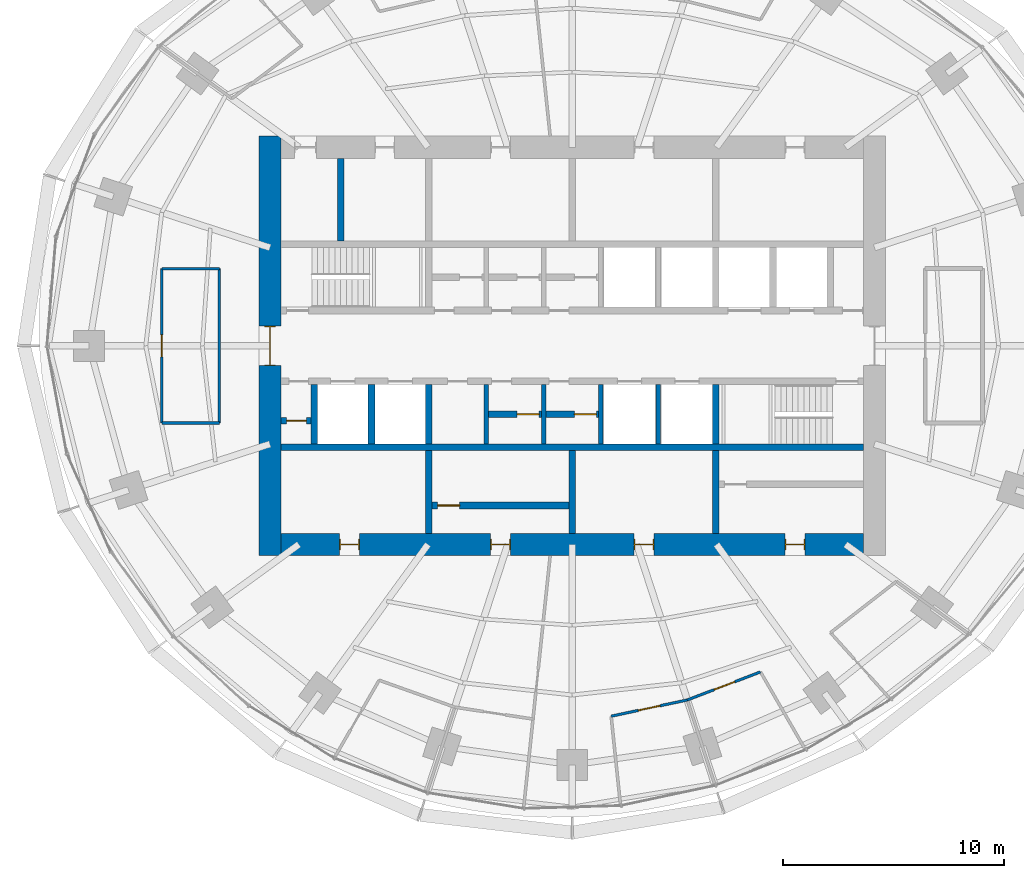
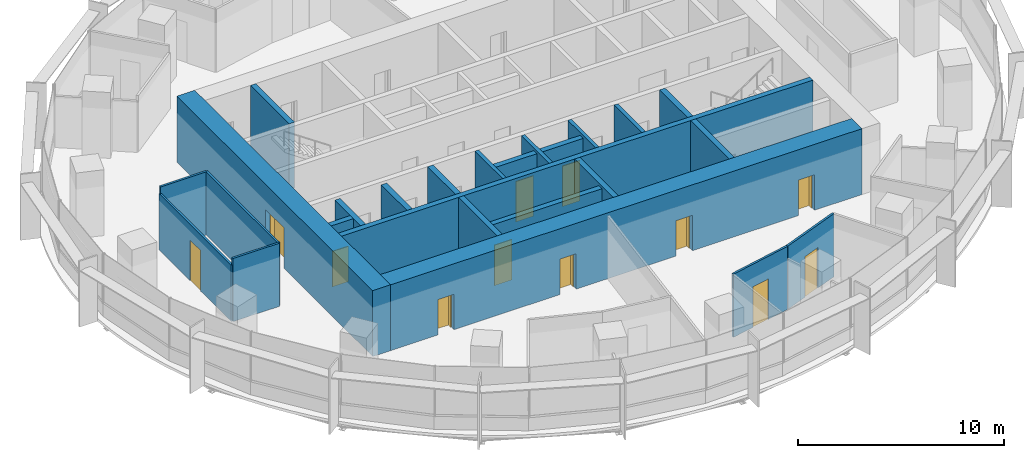
# One storey, part 10 of 15: 25 walls, 12 doors, 12 openings.
"""IFC4 building model written with IfcOpenShell, lengths in metres."""

from ifc_helpers import new_model, si_unit, direction, frame, frame_2d, origin, place, context, subcontext, project, spatial, rectangle, extrude, material, layer, layer_set, type_object, element, fill, save


model = new_model("IFC4")

# Units and contexts
model_context = context("Model", 3, precision=1e-05, world=origin(), true_north=direction((0.0, 1.0)))
body_context = subcontext(model_context, "Body", "Model", "MODEL_VIEW")
ifc_project = project(units=[si_unit("LENGTHUNIT", "METRE"), si_unit("AREAUNIT", "SQUARE_METRE"), si_unit("VOLUMEUNIT", "CUBIC_METRE"), si_unit("PLANEANGLEUNIT", "RADIAN"), si_unit("MASSUNIT", "GRAM", prefix="KILO")], contexts=[model_context])

# Site, building, storey
site_placement = place(None, origin())
site = spatial("IfcSite", under=ifc_project, at=site_placement, CompositionType="ELEMENT")
building_placement = place(site_placement, origin())
building = spatial("IfcBuilding", under=site, at=building_placement, Name="Marramba Exchange Tower", CompositionType="ELEMENT")
storey_placement = place(building_placement, frame((0.0, 0.0, 187.699951171875)))
storey = spatial("IfcBuildingStorey", under=building, at=storey_placement, Name="L45", CompositionType="ELEMENT", Elevation=187.699951171875)

# Walls
ifc_material_1 = material(Name="Concrete N50", Category="concrete")
ifc_layer_1 = layer(ifc_material_1, 0.199951171875)
ifc_layer_set_1 = layer_set([ifc_layer_1], Name="Core shaft wall 200")
wall_type_1 = type_object("IfcWallType", Name="Core shaft wall 200", PredefinedType="SHEAR", material=ifc_layer_set_1)
for number, where, z_axis, x_axis, name in (
    (1, (-3.89990234375, -1.75, 0.0), (0.0, 0.0, 1.0), (0.0, -1.0, 0.0), "Core wall SHS1 L45"),
    (2, (-1.300048828125, -1.75, 0.0), (0.0, 0.0, 1.0), (0.0, -1.0, 0.0), "Core wall SHS2 L45"),
    (3, (1.300048828125, -1.75, 0.0), (0.0, 0.0, 1.0), (0.0, -1.0, 0.0), "Core wall SHS3 L45"),
    (4, (3.89990234375, -1.75, 0.0), (0.0, 0.0, 1.0), (0.0, -1.0, 0.0), "Core wall SHS4 L45"),
):
    element("IfcWall", number, at=place(storey_placement, frame(where, z_axis=z_axis, x_axis=x_axis)), inside=storey, type_object=wall_type_1, Name=name, PredefinedType="SHEAR", context=body_context, shape_type="SweptSolid", body=[
        extrude(rectangle(XDim=2.699951171875, YDim=0.199951171875, at=frame_2d((1.35009765625, 0.0))), origin(), (0.0, 0.0, 1.0), 3.900146484375),
    ])

# Wall, openings, doors
ifc_layer_2 = layer(ifc_material_1, 1.0)
ifc_layer_set_2 = layer_set([ifc_layer_2], Name="Core wall 1000")
wall_type_2 = type_object("IfcWallType", Name="Core wall 1000", PredefinedType="SHEAR", material=ifc_layer_set_2)
wall_1_placement = place(storey_placement, frame((-13.199951171875, -9.0, 0.0), z_axis=(0.0, 0.0, 1.0), x_axis=(1.0, 0.0, 0.0)))
wall_1 = element("IfcWall", 5, at=wall_1_placement, inside=storey, type_object=wall_type_2, Name="Core wall S L45", PredefinedType="SHEAR", context=body_context, shape_type="SweptSolid", body=[
    extrude(rectangle(XDim=26.39990234375, YDim=1.0, at=frame_2d((13.199951171875, 0.0))), origin(), (0.0, 0.0, 1.0), 3.900146484375),
])
opening_1_placement = place(wall_1_placement, frame((2.64990234375, 0.0, 0.0)))
opening_1 = element("IfcOpeningElement", 6, at=opening_1_placement, cuts=wall_1, Name="Opening D5", PredefinedType="OPENING", context=body_context, shape_type="SweptSolid", body=[
    extrude(rectangle(XDim=0.89990234375, YDim=2.10009765625, at=frame_2d((0.449951171875, 1.050048828125))), frame((0.0, 0.510009765625, 0.0), z_axis=(0.0, -1.0, 0.0), x_axis=(1.0, 0.0, 0.0)), (0.0, 0.0, 1.0), 1.02001953125),
])
opening_2_placement = place(wall_1_placement, frame((9.5, 0.0, 0.0)))
opening_2 = element("IfcOpeningElement", 7, at=opening_2_placement, cuts=wall_1, Name="Opening D5", PredefinedType="OPENING", context=body_context, shape_type="SweptSolid", body=[
    extrude(rectangle(XDim=0.89990234375, YDim=2.10009765625, at=frame_2d((0.449951171875, 1.050048828125))), frame((0.0, 0.510009765625, 0.0), z_axis=(0.0, -1.0, 0.0), x_axis=(1.0, 0.0, 0.0)), (0.0, 0.0, 1.0), 1.02001953125),
])
opening_3_placement = place(wall_1_placement, frame((16.0, 0.0, 0.0)))
opening_3 = element("IfcOpeningElement", 8, at=opening_3_placement, cuts=wall_1, Name="Opening D5", PredefinedType="OPENING", context=body_context, shape_type="SweptSolid", body=[
    extrude(rectangle(XDim=0.89990234375, YDim=2.10009765625, at=frame_2d((0.449951171875, 1.050048828125))), frame((0.0, 0.510009765625, 0.0), z_axis=(0.0, -1.0, 0.0), x_axis=(1.0, 0.0, 0.0)), (0.0, 0.0, 1.0), 1.02001953125),
])
opening_4_placement = place(wall_1_placement, frame((22.85009765625, 0.0, 0.0)))
opening_4 = element("IfcOpeningElement", 9, at=opening_4_placement, cuts=wall_1, Name="Opening D5", PredefinedType="OPENING", context=body_context, shape_type="SweptSolid", body=[
    extrude(rectangle(XDim=0.89990234375, YDim=2.10009765625, at=frame_2d((0.449951171875, 1.050048828125))), frame((0.0, 0.510009765625, 0.0), z_axis=(0.0, -1.0, 0.0), x_axis=(1.0, 0.0, 0.0)), (0.0, 0.0, 1.0), 1.02001953125),
])
ifc_material_2 = material(Name="Steel-framed door", Category="steel")
door_type_1 = type_object("IfcDoorType", Name="Service door 900x2100", OperationType="SINGLE_SWING_LEFT", PredefinedType="DOOR", material=ifc_material_2)
door_1_placement = place(opening_1_placement, origin())
door_1 = element("IfcDoor", 10, at=door_1_placement, inside=storey, type_object=door_type_1, Name="D5 ahu L45", OperationType="SINGLE_SWING_LEFT", OverallHeight=2.10009765625, OverallWidth=0.89990234375, PredefinedType="DOOR", context=body_context, shape_type="SweptSolid", body=[
    extrude(rectangle(XDim=0.81982421875, YDim=2.06005859375, at=frame_2d((0.449951171875, 1.030029296875))), frame((0.0, 0.02490234375, 0.0), z_axis=(0.0, -1.0, 0.0), x_axis=(1.0, 0.0, 0.0)), (0.0, 0.0, 1.0), 0.050048828125),
    extrude(rectangle(XDim=0.04, YDim=2.10009765625, at=frame_2d((0.02001953125, 1.050048828125))), frame((0.0, 0.25, 0.0), z_axis=(0.0, -1.0, 0.0), x_axis=(1.0, 0.0, 0.0)), (0.0, 0.0, 1.0), 0.5),
    extrude(rectangle(XDim=0.04, YDim=2.10009765625, at=frame_2d((0.8798828125, 1.050048828125))), frame((0.0, 0.25, 0.0), z_axis=(0.0, -1.0, 0.0), x_axis=(1.0, 0.0, 0.0)), (0.0, 0.0, 1.0), 0.5),
    extrude(rectangle(XDim=0.81982421875, YDim=0.04, at=frame_2d((0.449951171875, 2.080078125))), frame((0.0, 0.25, 0.0), z_axis=(0.0, -1.0, 0.0), x_axis=(1.0, 0.0, 0.0)), (0.0, 0.0, 1.0), 0.5),
])
fill(opening_1, door_1)
door_2_placement = place(opening_2_placement, origin())
door_2 = element("IfcDoor", 11, at=door_2_placement, inside=storey, type_object=door_type_1, Name="D5 store L45", OperationType="SINGLE_SWING_RIGHT", OverallHeight=2.10009765625, OverallWidth=0.89990234375, PredefinedType="DOOR", context=body_context, shape_type="SweptSolid", body=[
    extrude(rectangle(XDim=0.81982421875, YDim=2.06005859375, at=frame_2d((0.449951171875, 1.030029296875))), frame((0.0, 0.02490234375, 0.0), z_axis=(0.0, -1.0, 0.0), x_axis=(1.0, 0.0, 0.0)), (0.0, 0.0, 1.0), 0.050048828125),
    extrude(rectangle(XDim=0.04, YDim=2.10009765625, at=frame_2d((0.02001953125, 1.050048828125))), frame((0.0, 0.25, 0.0), z_axis=(0.0, -1.0, 0.0), x_axis=(1.0, 0.0, 0.0)), (0.0, 0.0, 1.0), 0.5),
    extrude(rectangle(XDim=0.04, YDim=2.10009765625, at=frame_2d((0.8798828125, 1.050048828125))), frame((0.0, 0.25, 0.0), z_axis=(0.0, -1.0, 0.0), x_axis=(1.0, 0.0, 0.0)), (0.0, 0.0, 1.0), 0.5),
    extrude(rectangle(XDim=0.81982421875, YDim=0.04, at=frame_2d((0.449951171875, 2.080078125))), frame((0.0, 0.25, 0.0), z_axis=(0.0, -1.0, 0.0), x_axis=(1.0, 0.0, 0.0)), (0.0, 0.0, 1.0), 0.5),
])
fill(opening_2, door_2)
door_3_placement = place(opening_3_placement, origin())
door_3 = element("IfcDoor", 12, at=door_3_placement, inside=storey, type_object=door_type_1, Name="D5 switch L45", OperationType="SINGLE_SWING_RIGHT", OverallHeight=2.10009765625, OverallWidth=0.89990234375, PredefinedType="DOOR", context=body_context, shape_type="SweptSolid", body=[
    extrude(rectangle(XDim=0.81982421875, YDim=2.06005859375, at=frame_2d((0.449951171875, 1.030029296875))), frame((0.0, 0.02490234375, 0.0), z_axis=(0.0, -1.0, 0.0), x_axis=(1.0, 0.0, 0.0)), (0.0, 0.0, 1.0), 0.050048828125),
    extrude(rectangle(XDim=0.04, YDim=2.10009765625, at=frame_2d((0.02001953125, 1.050048828125))), frame((0.0, 0.25, 0.0), z_axis=(0.0, -1.0, 0.0), x_axis=(1.0, 0.0, 0.0)), (0.0, 0.0, 1.0), 0.5),
    extrude(rectangle(XDim=0.04, YDim=2.10009765625, at=frame_2d((0.8798828125, 1.050048828125))), frame((0.0, 0.25, 0.0), z_axis=(0.0, -1.0, 0.0), x_axis=(1.0, 0.0, 0.0)), (0.0, 0.0, 1.0), 0.5),
    extrude(rectangle(XDim=0.81982421875, YDim=0.04, at=frame_2d((0.449951171875, 2.080078125))), frame((0.0, 0.25, 0.0), z_axis=(0.0, -1.0, 0.0), x_axis=(1.0, 0.0, 0.0)), (0.0, 0.0, 1.0), 0.5),
])
fill(opening_3, door_3)
door_4_placement = place(opening_4_placement, origin())
door_4 = element("IfcDoor", 13, at=door_4_placement, inside=storey, type_object=door_type_1, Name="D5 cstore L45", OperationType="SINGLE_SWING_RIGHT", OverallHeight=2.10009765625, OverallWidth=0.89990234375, PredefinedType="DOOR", context=body_context, shape_type="SweptSolid", body=[
    extrude(rectangle(XDim=0.81982421875, YDim=2.06005859375, at=frame_2d((0.449951171875, 1.030029296875))), frame((0.0, 0.02490234375, 0.0), z_axis=(0.0, -1.0, 0.0), x_axis=(1.0, 0.0, 0.0)), (0.0, 0.0, 1.0), 0.050048828125),
    extrude(rectangle(XDim=0.04, YDim=2.10009765625, at=frame_2d((0.02001953125, 1.050048828125))), frame((0.0, 0.25, 0.0), z_axis=(0.0, -1.0, 0.0), x_axis=(1.0, 0.0, 0.0)), (0.0, 0.0, 1.0), 0.5),
    extrude(rectangle(XDim=0.04, YDim=2.10009765625, at=frame_2d((0.8798828125, 1.050048828125))), frame((0.0, 0.25, 0.0), z_axis=(0.0, -1.0, 0.0), x_axis=(1.0, 0.0, 0.0)), (0.0, 0.0, 1.0), 0.5),
    extrude(rectangle(XDim=0.81982421875, YDim=0.04, at=frame_2d((0.449951171875, 2.080078125))), frame((0.0, 0.25, 0.0), z_axis=(0.0, -1.0, 0.0), x_axis=(1.0, 0.0, 0.0)), (0.0, 0.0, 1.0), 0.5),
])
fill(opening_4, door_4)

# Wall, opening, door
wall_2_placement = place(storey_placement, frame((-13.699951171875, 9.5, 0.0), z_axis=(0.0, 0.0, 1.0), x_axis=(0.0, -1.0, 0.0)))
wall_2 = element("IfcWall", 14, at=wall_2_placement, inside=storey, type_object=wall_type_2, Name="Core wall W L45", PredefinedType="SHEAR", context=body_context, shape_type="SweptSolid", body=[
    extrude(rectangle(XDim=19.0, YDim=1.0, at=frame_2d((9.5, 0.0))), origin(), (0.0, 0.0, 1.0), 3.900146484375),
])
opening_5_placement = place(wall_2_placement, frame((8.60009765625, 0.0, 0.0)))
opening_5 = element("IfcOpeningElement", 15, at=opening_5_placement, cuts=wall_2, Name="Opening D1", PredefinedType="OPENING", context=body_context, shape_type="SweptSolid", body=[
    extrude(rectangle(XDim=1.800048828125, YDim=2.39990234375, at=frame_2d((0.89990234375, 1.199951171875))), frame((0.0, 0.510009765625, 0.0), z_axis=(0.0, -1.0, 0.0), x_axis=(1.0, 0.0, 0.0)), (0.0, 0.0, 1.0), 1.02001953125),
])
door_type_2 = type_object("IfcDoorType", Name="Lobby exit door 1800x2400", OperationType="DOUBLE_DOOR_SINGLE_SWING", PredefinedType="DOOR", material=ifc_material_2)
door_5_placement = place(opening_5_placement, origin())
door_5 = element("IfcDoor", 16, at=door_5_placement, inside=storey, type_object=door_type_2, Name="D1 lobby exit west L45", OperationType="DOUBLE_DOOR_SINGLE_SWING", OverallHeight=2.39990234375, OverallWidth=1.800048828125, PredefinedType="DOOR", context=body_context, shape_type="SweptSolid", body=[
    extrude(rectangle(XDim=1.719970703125, YDim=2.35986328125, at=frame_2d((0.89990234375, 1.179931640625))), frame((0.0, 0.02490234375, 0.0), z_axis=(0.0, -1.0, 0.0), x_axis=(1.0, 0.0, 0.0)), (0.0, 0.0, 1.0), 0.050048828125),
    extrude(rectangle(XDim=0.04, YDim=2.39990234375, at=frame_2d((0.02001953125, 1.199951171875))), frame((0.0, 0.25, 0.0), z_axis=(0.0, -1.0, 0.0), x_axis=(1.0, 0.0, 0.0)), (0.0, 0.0, 1.0), 0.5),
    extrude(rectangle(XDim=0.04, YDim=2.39990234375, at=frame_2d((1.780029296875, 1.199951171875))), frame((0.0, 0.25, 0.0), z_axis=(0.0, -1.0, 0.0), x_axis=(1.0, 0.0, 0.0)), (0.0, 0.0, 1.0), 0.5),
    extrude(rectangle(XDim=1.719970703125, YDim=0.04, at=frame_2d((0.89990234375, 2.3798828125))), frame((0.0, 0.25, 0.0), z_axis=(0.0, -1.0, 0.0), x_axis=(1.0, 0.0, 0.0)), (0.0, 0.0, 1.0), 0.5),
])
fill(opening_5, door_5)

# Walls
ifc_layer_3 = layer(ifc_material_1, 0.300048828125)
ifc_layer_set_3 = layer_set([ifc_layer_3], Name="Core wall 300")
wall_type_3 = type_object("IfcWallType", Name="Core wall 300", PredefinedType="SHEAR", material=ifc_layer_set_3)
wall_3_placement = place(storey_placement, frame((-13.199951171875, -4.60009765625, 0.0), z_axis=(0.0, 0.0, 1.0), x_axis=(1.0, 0.0, 0.0)))
element("IfcWall", 17, at=wall_3_placement, inside=storey, type_object=wall_type_3, Name="Core wall BS L45", PredefinedType="SHEAR", context=body_context, shape_type="SweptSolid", body=[
    extrude(rectangle(XDim=26.39990234375, YDim=0.300048828125, at=frame_2d((13.199951171875, 0.0))), origin(), (0.0, 0.0, 1.0), 3.900146484375),
])
wall_4_placement = place(storey_placement, frame((-6.5, -1.75, 0.0), z_axis=(0.0, 0.0, 1.0), x_axis=(0.0, -1.0, 0.0)))
element("IfcWall", 18, at=wall_4_placement, inside=storey, type_object=wall_type_3, Name="Core wall X0Sa L45", PredefinedType="SHEAR", context=body_context, shape_type="SweptSolid", body=[
    extrude(rectangle(XDim=2.699951171875, YDim=0.300048828125, at=frame_2d((1.35009765625, 0.0))), origin(), (0.0, 0.0, 1.0), 3.900146484375),
])
wall_5_placement = place(storey_placement, frame((-6.5, -4.75, 0.0), z_axis=(0.0, 0.0, 1.0), x_axis=(0.0, -1.0, 0.0)))
element("IfcWall", 19, at=wall_5_placement, inside=storey, type_object=wall_type_3, Name="Core wall X0Sb L45", PredefinedType="SHEAR", context=body_context, shape_type="SweptSolid", body=[
    extrude(rectangle(XDim=3.75, YDim=0.300048828125, at=frame_2d((1.875, 0.0))), origin(), (0.0, 0.0, 1.0), 3.900146484375),
])
wall_6_placement = place(storey_placement, frame((6.5, -1.75, 0.0), z_axis=(0.0, 0.0, 1.0), x_axis=(0.0, -1.0, 0.0)))
element("IfcWall", 20, at=wall_6_placement, inside=storey, type_object=wall_type_3, Name="Core wall X1Sa L45", PredefinedType="SHEAR", context=body_context, shape_type="SweptSolid", body=[
    extrude(rectangle(XDim=2.699951171875, YDim=0.300048828125, at=frame_2d((1.35009765625, 0.0))), origin(), (0.0, 0.0, 1.0), 3.900146484375),
])
for number, where, z_axis, x_axis, name in (
    (21, (6.5, -4.75, 0.0), (0.0, 0.0, 1.0), (0.0, -1.0, 0.0), "Core wall X1Sb L45"),
    (22, (0.0, -4.75, 0.0), (0.0, 0.0, 1.0), (0.0, -1.0, 0.0), "Core wall MS L45"),
    (23, (-10.5, 4.75, 0.0), (0.0, 0.0, 1.0), (0.0, 1.0, 0.0), "Core wall WD L45"),
):
    element("IfcWall", number, at=place(storey_placement, frame(where, z_axis=z_axis, x_axis=x_axis)), inside=storey, type_object=wall_type_3, Name=name, PredefinedType="SHEAR", context=body_context, shape_type="SweptSolid", body=[
        extrude(rectangle(XDim=3.75, YDim=0.300048828125, at=frame_2d((1.875, 0.0))), origin(), (0.0, 0.0, 1.0), 3.900146484375),
    ])
ifc_material_3 = material(Name="Core-filled concrete blockwork", Category="masonry")
ifc_layer_4 = layer(ifc_material_3, 0.300048828125)
ifc_layer_set_4 = layer_set([ifc_layer_4], Name="Lift shaft wall 300")
wall_type_4 = type_object("IfcWallType", Name="Lift shaft wall 300", PredefinedType="SOLIDWALL", material=ifc_layer_set_4)
for number, where, z_axis, x_axis, name in (
    (24, (-9.10009765625, -1.75, 0.0), (0.0, 0.0, 1.0), (0.0, -1.0, 0.0), "Lift shaft wall W1 L45"),
    (25, (-11.699951171875, -1.75, 0.0), (0.0, 0.0, 1.0), (0.0, -1.0, 0.0), "Lift shaft wall W2 L45"),
):
    element("IfcWall", number, at=place(storey_placement, frame(where, z_axis=z_axis, x_axis=x_axis)), inside=storey, type_object=wall_type_4, Name=name, PredefinedType="SOLIDWALL", context=body_context, shape_type="SweptSolid", body=[
        extrude(rectangle(XDim=2.699951171875, YDim=0.300048828125, at=frame_2d((1.35009765625, 0.0))), origin(), (0.0, 0.0, 1.0), 3.739990234375),
    ])
ifc_material_4 = material(Name="Plasterboard on steel studs", Category="steel")
ifc_layer_5 = layer(ifc_material_4, 0.1201171875)
ifc_layer_set_5 = layer_set([ifc_layer_5], Name="Partition 120")
wall_type_5 = type_object("IfcWallType", Name="Partition 120", PredefinedType="PARTITIONING", material=ifc_layer_set_5)
wall_7_placement = place(storey_placement, frame((-16.0, -3.5, 0.0), z_axis=(0.0, 0.0, 1.0), x_axis=(-1.0, 0.0, 0.0)))
element("IfcWall", 26, at=wall_7_placement, inside=storey, type_object=wall_type_5, Name="Partition L45 01", PredefinedType="PARTITIONING", context=body_context, shape_type="SweptSolid", body=[
    extrude(rectangle(XDim=2.60009765625, YDim=0.1201171875, at=frame_2d((1.300048828125, 0.0))), origin(), (0.0, 0.0, 1.0), 3.739990234375),
])

# Wall, opening, door
wall_8_placement = place(storey_placement, frame((5.216064453125, -16.05322265625, 0.0), z_axis=(0.0, 0.0, 1.0), x_axis=(-0.978033661385, -0.208447012927, 0.0)))
wall_8 = element("IfcWall", 27, at=wall_8_placement, inside=storey, type_object=wall_type_5, Name="Partition L45 08", PredefinedType="PARTITIONING", context=body_context, shape_type="SweptSolid", body=[
    extrude(rectangle(XDim=3.529052734375, YDim=0.1201171875, at=frame_2d((1.7646484375, 0.0))), origin(), (0.0, 0.0, 1.0), 3.739990234375),
])
opening_6_placement = place(wall_8_placement, frame((1.263916015625, 0.0, 0.0)))
opening_6 = element("IfcOpeningElement", 28, at=opening_6_placement, cuts=wall_8, Name="Opening D9", PredefinedType="OPENING", context=body_context, shape_type="SweptSolid", body=[
    extrude(rectangle(XDim=1.0, YDim=2.39990234375, at=frame_2d((0.5, 1.199951171875))), frame((0.0, 0.070068359375, 0.0), z_axis=(0.0, -1.0, 0.0), x_axis=(1.0, 0.0, 0.0)), (0.0, 0.0, 1.0), 0.14013671875),
])
ifc_material_5 = material(Name="Timber door", Category="wood")
door_type_3 = type_object("IfcDoorType", Name="Room door 1000x2400", OperationType="SINGLE_SWING_LEFT", PredefinedType="DOOR", material=ifc_material_5)
door_6_placement = place(opening_6_placement, origin())
door_6 = element("IfcDoor", 29, at=door_6_placement, inside=storey, type_object=door_type_3, Name="D9 Office 8 L45", OperationType="SINGLE_SWING_RIGHT", OverallHeight=2.39990234375, OverallWidth=1.0, PredefinedType="DOOR", context=body_context, shape_type="SweptSolid", body=[
    extrude(rectangle(XDim=1.0, YDim=2.39990234375, at=frame_2d((0.5, 1.199951171875))), frame((0.0, 0.02490234375, 0.0), z_axis=(0.0, -1.0, 0.0), x_axis=(1.0, 0.0, 0.0)), (0.0, 0.0, 1.0), 0.050048828125),
])
fill(opening_6, door_6)

wall_9_placement = place(storey_placement, frame((8.5341796875, -14.78173828125, 0.0), z_axis=(0.0, 0.0, 1.0), x_axis=(-0.933789357777, -0.357823190001, 0.0)))
wall_9 = element("IfcWall", 30, at=wall_9_placement, inside=storey, type_object=wall_type_5, Name="Partition L45 10", PredefinedType="PARTITIONING", context=body_context, shape_type="SweptSolid", body=[
    extrude(rectangle(XDim=3.553466796875, YDim=0.1201171875, at=frame_2d((1.77685546875, 0.0))), origin(), (0.0, 0.0, 1.0), 3.739990234375),
])
opening_7_placement = place(wall_9_placement, frame((1.251953125, 0.0, 0.0)))
opening_7 = element("IfcOpeningElement", 31, at=opening_7_placement, cuts=wall_9, Name="Opening D9", PredefinedType="OPENING", context=body_context, shape_type="SweptSolid", body=[
    extrude(rectangle(XDim=1.0, YDim=2.39990234375, at=frame_2d((0.5, 1.199951171875))), frame((0.0, 0.070068359375, 0.0), z_axis=(0.0, -1.0, 0.0), x_axis=(1.0, 0.0, 0.0)), (0.0, 0.0, 1.0), 0.14013671875),
])
door_7_placement = place(opening_7_placement, origin())
door_7 = element("IfcDoor", 32, at=door_7_placement, inside=storey, type_object=door_type_3, Name="D9 Office 9 L45", OperationType="SINGLE_SWING_RIGHT", OverallHeight=2.39990234375, OverallWidth=1.0, PredefinedType="DOOR", context=body_context, shape_type="SweptSolid", body=[
    extrude(rectangle(XDim=1.0, YDim=2.39990234375, at=frame_2d((0.5, 1.199951171875))), frame((0.0, 0.02490234375, 0.0), z_axis=(0.0, -1.0, 0.0), x_axis=(1.0, 0.0, 0.0)), (0.0, 0.0, 1.0), 0.050048828125),
])
fill(opening_7, door_7)

# Wall
wall_10_placement = place(storey_placement, frame((-18.60009765625, 3.5, 0.0), z_axis=(0.0, 0.0, 1.0), x_axis=(1.0, 0.0, 0.0)))
element("IfcWall", 33, at=wall_10_placement, inside=storey, type_object=wall_type_5, Name="Partition L45 32", PredefinedType="PARTITIONING", context=body_context, shape_type="SweptSolid", body=[
    extrude(rectangle(XDim=2.60009765625, YDim=0.1201171875, at=frame_2d((1.300048828125, 0.0))), origin(), (0.0, 0.0, 1.0), 3.739990234375),
])

# Wall, opening, door
wall_11_placement = place(storey_placement, frame((-18.60009765625, -3.5, 0.0), z_axis=(0.0, 0.0, 1.0), x_axis=(0.0, 1.0, 0.0)))
wall_11 = element("IfcWall", 34, at=wall_11_placement, inside=storey, type_object=wall_type_5, Name="Partition L45 33", PredefinedType="PARTITIONING", context=body_context, shape_type="SweptSolid", body=[
    extrude(rectangle(XDim=7.0, YDim=0.1201171875, at=frame_2d((3.5, 0.0))), origin(), (0.0, 0.0, 1.0), 3.333984375),
])
opening_8_placement = place(wall_11_placement, frame((3.0, 0.0, 0.0)))
opening_8 = element("IfcOpeningElement", 35, at=opening_8_placement, cuts=wall_11, Name="Opening D9", PredefinedType="OPENING", context=body_context, shape_type="SweptSolid", body=[
    extrude(rectangle(XDim=1.0, YDim=2.39990234375, at=frame_2d((0.5, 1.199951171875))), frame((0.0, 0.070068359375, 0.0), z_axis=(0.0, -1.0, 0.0), x_axis=(1.0, 0.0, 0.0)), (0.0, 0.0, 1.0), 0.14013671875),
])
door_8_placement = place(opening_8_placement, frame((1.0, 0.0, 0.0), z_axis=(0.0, 0.0, 1.0), x_axis=(-1.0, 0.0, 0.0)))
door_8 = element("IfcDoor", 36, at=door_8_placement, inside=storey, type_object=door_type_3, Name="D9 Pantry L45", OperationType="SINGLE_SWING_RIGHT", OverallHeight=2.39990234375, OverallWidth=1.0, PredefinedType="DOOR", context=body_context, shape_type="SweptSolid", body=[
    extrude(rectangle(XDim=1.0, YDim=2.39990234375, at=frame_2d((0.5, 1.199951171875))), frame((0.0, 0.025146484375, 0.0), z_axis=(0.0, -1.0, 0.0), x_axis=(1.0, 0.0, 0.0)), (0.0, 0.0, 1.0), 0.050048828125),
])
fill(opening_8, door_8)

# Wall
wall_12_placement = place(storey_placement, frame((-16.0, 3.5, 0.0), z_axis=(0.0, 0.0, 1.0), x_axis=(0.0, -1.0, 0.0)))
element("IfcWall", 37, at=wall_12_placement, inside=storey, type_object=wall_type_5, Name="Partition L45 34", PredefinedType="PARTITIONING", context=body_context, shape_type="SweptSolid", body=[
    extrude(rectangle(XDim=7.0, YDim=0.1201171875, at=frame_2d((3.5, 0.0))), origin(), (0.0, 0.0, 1.0), 3.739990234375),
])

# Wall, opening, door
ifc_layer_6 = layer(ifc_material_3, 0.300048828125)
ifc_layer_set_6 = layer_set([ifc_layer_6], Name="Riser enclosure wall 300")
wall_type_6 = type_object("IfcWallType", Name="Riser enclosure wall 300", PredefinedType="SOLIDWALL", material=ifc_layer_set_6)
wall_13_placement = place(storey_placement, frame((-13.199951171875, -3.39990234375, 0.0), z_axis=(0.0, 0.0, 1.0), x_axis=(1.0, 0.0, 0.0)))
wall_13 = element("IfcWall", 38, at=wall_13_placement, inside=storey, type_object=wall_type_6, Name="Riser enclosure wall L45", PredefinedType="SOLIDWALL", context=body_context, shape_type="SweptSolid", body=[
    extrude(rectangle(XDim=1.349853515625, YDim=0.300048828125, at=frame_2d((0.6748046875, 0.0))), origin(), (0.0, 0.0, 1.0), 3.739990234375),
])
opening_9_placement = place(wall_13_placement, frame((0.25, 0.0, 0.0)))
opening_9 = element("IfcOpeningElement", 39, at=opening_9_placement, cuts=wall_13, Name="Opening D5", PredefinedType="OPENING", context=body_context, shape_type="SweptSolid", body=[
    extrude(rectangle(XDim=0.89990234375, YDim=2.10009765625, at=frame_2d((0.449951171875, 1.050048828125))), frame((0.0, 0.159912109375, 0.0), z_axis=(0.0, -1.0, 0.0), x_axis=(1.0, 0.0, 0.0)), (0.0, 0.0, 1.0), 0.320068359375),
])
door_9_placement = place(opening_9_placement, frame((0.89990234375, 0.0, 0.0), z_axis=(0.0, 0.0, 1.0), x_axis=(-1.0, 0.0, 0.0)))
door_9 = element("IfcDoor", 40, at=door_9_placement, inside=storey, type_object=door_type_1, Name="D5 electrical riser back L45", OperationType="SINGLE_SWING_LEFT", OverallHeight=2.10009765625, OverallWidth=0.89990234375, PredefinedType="DOOR", context=body_context, shape_type="SweptSolid", body=[
    extrude(rectangle(XDim=0.89990234375, YDim=2.10009765625, at=frame_2d((0.449951171875, 1.050048828125))), frame((0.0, 0.025146484375, 0.0), z_axis=(0.0, -1.0, 0.0), x_axis=(1.0, 0.0, 0.0)), (0.0, 0.0, 1.0), 0.050048828125),
])
fill(opening_9, door_9)

ifc_material_6 = material(Name="Plasterboard on steel studs, insulated, unrated", Category="steel")
ifc_layer_7 = layer(ifc_material_6, 0.300048828125)
ifc_layer_set_7 = layer_set([ifc_layer_7], Name="Store partition 300")
wall_type_7 = type_object("IfcWallType", Name="Store partition 300", PredefinedType="PARTITIONING", material=ifc_layer_set_7)
wall_14_placement = place(storey_placement, frame((-3.800048828125, -3.10009765625, 0.0), z_axis=(0.0, 0.0, 1.0), x_axis=(1.0, 0.0, 0.0)))
wall_14 = element("IfcWall", 41, at=wall_14_placement, inside=storey, type_object=wall_type_7, Name="Store partition L45 S2", PredefinedType="PARTITIONING", context=body_context, shape_type="SweptSolid", body=[
    extrude(rectangle(XDim=2.400146484375, YDim=0.300048828125, at=frame_2d((1.2001953125, 0.0))), origin(), (0.0, 0.0, 1.0), 3.739990234375),
])
opening_10_placement = place(wall_14_placement, frame((1.300048828125, 0.0, 0.0)))
opening_10 = element("IfcOpeningElement", 42, at=opening_10_placement, cuts=wall_14, Name="Opening D9", PredefinedType="OPENING", context=body_context, shape_type="SweptSolid", body=[
    extrude(rectangle(XDim=1.0, YDim=2.39990234375, at=frame_2d((0.5, 1.199951171875))), frame((0.0, 0.159912109375, 0.0), z_axis=(0.0, -1.0, 0.0), x_axis=(1.0, 0.0, 0.0)), (0.0, 0.0, 1.0), 0.320068359375),
])
door_10_placement = place(opening_10_placement, origin())
door_10 = element("IfcDoor", 43, at=door_10_placement, inside=storey, type_object=door_type_3, Name="D9 store room S2 L45", OperationType="SINGLE_SWING_RIGHT", OverallHeight=2.39990234375, OverallWidth=1.0, PredefinedType="DOOR", context=body_context, shape_type="SweptSolid", body=[
    extrude(rectangle(XDim=1.0, YDim=2.39990234375, at=frame_2d((0.5, 1.199951171875))), frame((0.0, 0.02490234375, 0.0), z_axis=(0.0, -1.0, 0.0), x_axis=(1.0, 0.0, 0.0)), (0.0, 0.0, 1.0), 0.050048828125),
])
fill(opening_10, door_10)

wall_15_placement = place(storey_placement, frame((-1.199951171875, -3.10009765625, 0.0), z_axis=(0.0, 0.0, 1.0), x_axis=(1.0, 0.0, 0.0)))
wall_15 = element("IfcWall", 44, at=wall_15_placement, inside=storey, type_object=wall_type_7, Name="Store partition L45 S3", PredefinedType="PARTITIONING", context=body_context, shape_type="SweptSolid", body=[
    extrude(rectangle(XDim=2.39990234375, YDim=0.300048828125, at=frame_2d((1.199951171875, 0.0))), origin(), (0.0, 0.0, 1.0), 3.739990234375),
])
opening_11_placement = place(wall_15_placement, frame((1.300048828125, 0.0, 0.0)))
opening_11 = element("IfcOpeningElement", 45, at=opening_11_placement, cuts=wall_15, Name="Opening D9", PredefinedType="OPENING", context=body_context, shape_type="SweptSolid", body=[
    extrude(rectangle(XDim=1.0, YDim=2.39990234375, at=frame_2d((0.5, 1.199951171875))), frame((0.0, 0.159912109375, 0.0), z_axis=(0.0, -1.0, 0.0), x_axis=(1.0, 0.0, 0.0)), (0.0, 0.0, 1.0), 0.320068359375),
])
door_11_placement = place(opening_11_placement, origin())
door_11 = element("IfcDoor", 46, at=door_11_placement, inside=storey, type_object=door_type_3, Name="D9 store room S3 L45", OperationType="SINGLE_SWING_RIGHT", OverallHeight=2.39990234375, OverallWidth=1.0, PredefinedType="DOOR", context=body_context, shape_type="SweptSolid", body=[
    extrude(rectangle(XDim=1.0, YDim=2.39990234375, at=frame_2d((0.5, 1.199951171875))), frame((0.0, 0.02490234375, 0.0), z_axis=(0.0, -1.0, 0.0), x_axis=(1.0, 0.0, 0.0)), (0.0, 0.0, 1.0), 0.050048828125),
])
fill(opening_11, door_11)

wall_16_placement = place(storey_placement, frame((-6.35009765625, -7.239990234375, 0.0), z_axis=(0.0, 0.0, 1.0), x_axis=(1.0, 0.0, 0.0)))
wall_16 = element("IfcWall", 47, at=wall_16_placement, inside=storey, type_object=wall_type_7, Name="Store partition L45 store", PredefinedType="PARTITIONING", context=body_context, shape_type="SweptSolid", body=[
    extrude(rectangle(XDim=6.2001953125, YDim=0.300048828125, at=frame_2d((3.10009765625, 0.0))), origin(), (0.0, 0.0, 1.0), 3.739990234375),
])
opening_12_placement = place(wall_16_placement, frame((0.25, 0.0, 0.0)))
opening_12 = element("IfcOpeningElement", 48, at=opening_12_placement, cuts=wall_16, Name="Opening D9", PredefinedType="OPENING", context=body_context, shape_type="SweptSolid", body=[
    extrude(rectangle(XDim=1.0, YDim=2.39990234375, at=frame_2d((0.5, 1.199951171875))), frame((0.0, 0.159912109375, 0.0), z_axis=(0.0, -1.0, 0.0), x_axis=(1.0, 0.0, 0.0)), (0.0, 0.0, 1.0), 0.320068359375),
])
door_12_placement = place(opening_12_placement, frame((1.0, 0.0, 0.0), z_axis=(0.0, 0.0, 1.0), x_axis=(-1.0, 0.0, 0.0)))
door_12 = element("IfcDoor", 49, at=door_12_placement, inside=storey, type_object=door_type_3, Name="D9 stationery store L45", OperationType="SINGLE_SWING_RIGHT", OverallHeight=2.39990234375, OverallWidth=1.0, PredefinedType="DOOR", context=body_context, shape_type="SweptSolid", body=[
    extrude(rectangle(XDim=1.0, YDim=2.39990234375, at=frame_2d((0.5, 1.199951171875))), frame((0.0, 0.025146484375, 0.0), z_axis=(0.0, -1.0, 0.0), x_axis=(1.0, 0.0, 0.0)), (0.0, 0.0, 1.0), 0.050048828125),
])
fill(opening_12, door_12)

save(model, "model.ifc")
